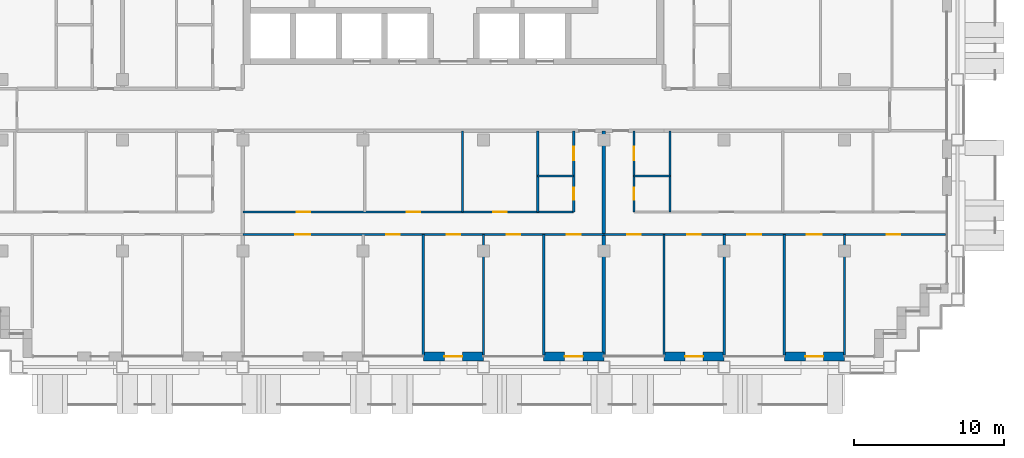
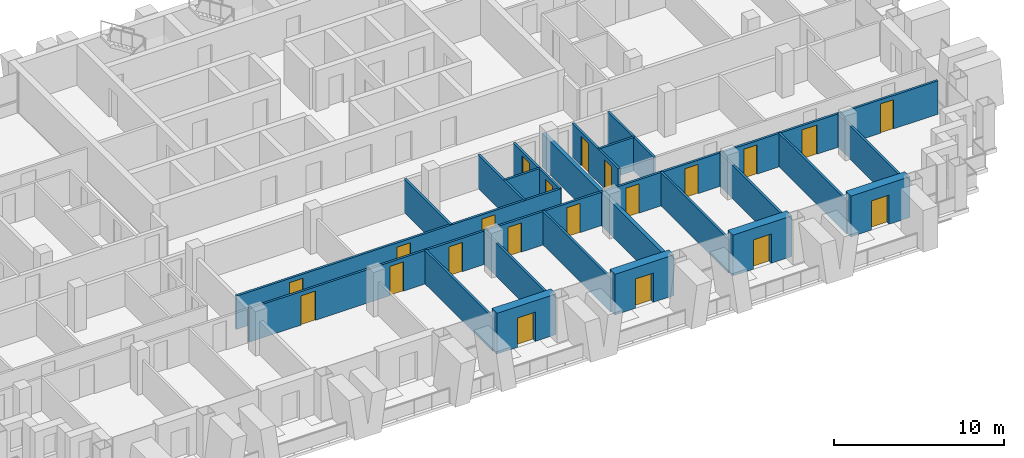
# One storey, part 9 of 17: 22 walls, 21 doors, 21 openings.
"""IFC4 building model written with IfcOpenShell, lengths in metres."""

from ifc_helpers import new_model, si_unit, direction, frame, frame_2d, origin, place, context, subcontext, project, spatial, rectangle, extrude, material, layer, layer_set, type_object, element, fill, save


model = new_model("IFC4")

# Units and contexts
model_context = context("Model", 3, precision=1e-05, world=origin(), true_north=direction((0.0, 1.0)))
body_context = subcontext(model_context, "Body", "Model", "MODEL_VIEW")
ifc_project = project(units=[si_unit("LENGTHUNIT", "METRE"), si_unit("AREAUNIT", "SQUARE_METRE"), si_unit("VOLUMEUNIT", "CUBIC_METRE"), si_unit("PLANEANGLEUNIT", "RADIAN"), si_unit("MASSUNIT", "GRAM", prefix="KILO")], contexts=[model_context])

# Site, building, storey
site_placement = place(None, origin())
site = spatial("IfcSite", under=ifc_project, at=site_placement, CompositionType="ELEMENT")
building_placement = place(site_placement, origin())
building = spatial("IfcBuilding", under=site, at=building_placement, Name="Vidyagriha Tower", CompositionType="ELEMENT")
storey_placement = place(building_placement, frame((0.0, 0.0, 139.0)))
storey = spatial("IfcBuildingStorey", under=building, at=storey_placement, Name="L36", CompositionType="ELEMENT", Elevation=139.0)

# Wall, opening, door
ifc_material_1 = material(Name="Precast concrete C40/50 with brick facing", Category="concrete")
ifc_layer_1 = layer(ifc_material_1, 0.60009765625)
ifc_layer_set_1 = layer_set([ifc_layer_1], Name="Precast concrete C40/50 with brick facing")
wall_type_1 = type_object("IfcWallType", Name="Brick-faced precast wall 600", PredefinedType="STANDARD", material=ifc_layer_set_1)
wall_1_placement = place(storey_placement, frame((-2.0, -16.39990234375, 0.0)))
wall_1 = element("IfcWall", 1, at=wall_1_placement, inside=storey, type_object=wall_type_1, Name="Brick door bay wall L36 R23.8", PredefinedType="STANDARD", context=body_context, shape_type="SweptSolid", body=[
    extrude(rectangle(XDim=4.0, YDim=0.60009765625, at=frame_2d((2.0, 0.0))), origin(), (0.0, 0.0, 1.0), 2.919921875),
])
opening_1_placement = place(wall_1_placement, frame((1.39990234375, 0.0, 0.0)))
opening_1 = element("IfcOpeningElement", 2, at=opening_1_placement, cuts=wall_1, Name="Opening D36-72", PredefinedType="OPENING", context=body_context, shape_type="SweptSolid", body=[
    extrude(rectangle(XDim=1.199951171875, YDim=2.10009765625, at=frame_2d((0.60009765625, 1.050048828125))), frame((0.0, 0.31005859375, 0.0), z_axis=(0.0, -1.0, 0.0), x_axis=(1.0, 0.0, 0.0)), (0.0, 0.0, 1.0), 0.6201171875),
])
ifc_material_2 = material(Name="Aluminium framed glazed sliding door", Category="aluminium")
door_type_1 = type_object("IfcDoorType", Name="Balcony sliding door 1200x2100", OperationType="NOTDEFINED", PredefinedType="DOOR", material=ifc_material_2)
door_1_placement = place(opening_1_placement, origin())
door_1 = element("IfcDoor", 3, at=door_1_placement, inside=storey, type_object=door_type_1, Name="Door D36-72", OperationType="SLIDING_TO_LEFT", OverallHeight=2.10009765625, OverallWidth=1.199951171875, PredefinedType="DOOR", context=body_context, shape_type="SweptSolid", body=[
    extrude(rectangle(XDim=1.199951171875, YDim=2.10009765625, at=frame_2d((0.60009765625, 1.050048828125))), frame((0.0, 0.02490234375, 0.0), z_axis=(0.0, -1.0, 0.0), x_axis=(1.0, 0.0, 0.0)), (0.0, 0.0, 1.0), 0.050048828125),
])
fill(opening_1, door_1)

wall_2_placement = place(storey_placement, frame((6.0, -16.39990234375, 0.0)))
wall_2 = element("IfcWall", 4, at=wall_2_placement, inside=storey, type_object=wall_type_1, Name="Brick door bay wall L36 R23.10", PredefinedType="STANDARD", context=body_context, shape_type="SweptSolid", body=[
    extrude(rectangle(XDim=4.0, YDim=0.60009765625, at=frame_2d((2.0, 0.0))), origin(), (0.0, 0.0, 1.0), 2.919921875),
])
opening_2_placement = place(wall_2_placement, frame((1.39990234375, 0.0, 0.0)))
opening_2 = element("IfcOpeningElement", 5, at=opening_2_placement, cuts=wall_2, Name="Opening D36-73", PredefinedType="OPENING", context=body_context, shape_type="SweptSolid", body=[
    extrude(rectangle(XDim=1.199951171875, YDim=2.10009765625, at=frame_2d((0.60009765625, 1.050048828125))), frame((0.0, 0.31005859375, 0.0), z_axis=(0.0, -1.0, 0.0), x_axis=(1.0, 0.0, 0.0)), (0.0, 0.0, 1.0), 0.6201171875),
])
door_2_placement = place(opening_2_placement, origin())
door_2 = element("IfcDoor", 6, at=door_2_placement, inside=storey, type_object=door_type_1, Name="Door D36-73", OperationType="SLIDING_TO_LEFT", OverallHeight=2.10009765625, OverallWidth=1.199951171875, PredefinedType="DOOR", context=body_context, shape_type="SweptSolid", body=[
    extrude(rectangle(XDim=1.199951171875, YDim=2.10009765625, at=frame_2d((0.60009765625, 1.050048828125))), frame((0.0, 0.02490234375, 0.0), z_axis=(0.0, -1.0, 0.0), x_axis=(1.0, 0.0, 0.0)), (0.0, 0.0, 1.0), 0.050048828125),
])
fill(opening_2, door_2)

wall_3_placement = place(storey_placement, frame((14.0, -16.39990234375, 0.0)))
wall_3 = element("IfcWall", 7, at=wall_3_placement, inside=storey, type_object=wall_type_1, Name="Brick door bay wall L36 R23.12", PredefinedType="STANDARD", context=body_context, shape_type="SweptSolid", body=[
    extrude(rectangle(XDim=4.0, YDim=0.60009765625, at=frame_2d((2.0, 0.0))), origin(), (0.0, 0.0, 1.0), 2.919921875),
])
opening_3_placement = place(wall_3_placement, frame((1.39990234375, 0.0, 0.0)))
opening_3 = element("IfcOpeningElement", 8, at=opening_3_placement, cuts=wall_3, Name="Opening D36-74", PredefinedType="OPENING", context=body_context, shape_type="SweptSolid", body=[
    extrude(rectangle(XDim=1.199951171875, YDim=2.10009765625, at=frame_2d((0.60009765625, 1.050048828125))), frame((0.0, 0.31005859375, 0.0), z_axis=(0.0, -1.0, 0.0), x_axis=(1.0, 0.0, 0.0)), (0.0, 0.0, 1.0), 0.6201171875),
])
door_3_placement = place(opening_3_placement, origin())
door_3 = element("IfcDoor", 9, at=door_3_placement, inside=storey, type_object=door_type_1, Name="Door D36-74", OperationType="SLIDING_TO_LEFT", OverallHeight=2.10009765625, OverallWidth=1.199951171875, PredefinedType="DOOR", context=body_context, shape_type="SweptSolid", body=[
    extrude(rectangle(XDim=1.199951171875, YDim=2.10009765625, at=frame_2d((0.60009765625, 1.050048828125))), frame((0.0, 0.02490234375, 0.0), z_axis=(0.0, -1.0, 0.0), x_axis=(1.0, 0.0, 0.0)), (0.0, 0.0, 1.0), 0.050048828125),
])
fill(opening_3, door_3)

wall_4_placement = place(storey_placement, frame((22.0, -16.39990234375, 0.0)))
wall_4 = element("IfcWall", 10, at=wall_4_placement, inside=storey, type_object=wall_type_1, Name="Brick door bay wall L36 R23.14", PredefinedType="STANDARD", context=body_context, shape_type="SweptSolid", body=[
    extrude(rectangle(XDim=4.0, YDim=0.60009765625, at=frame_2d((2.0, 0.0))), origin(), (0.0, 0.0, 1.0), 2.919921875),
])
opening_4_placement = place(wall_4_placement, frame((1.39990234375, 0.0, 0.0)))
opening_4 = element("IfcOpeningElement", 11, at=opening_4_placement, cuts=wall_4, Name="Opening D36-75", PredefinedType="OPENING", context=body_context, shape_type="SweptSolid", body=[
    extrude(rectangle(XDim=1.199951171875, YDim=2.10009765625, at=frame_2d((0.60009765625, 1.050048828125))), frame((0.0, 0.31005859375, 0.0), z_axis=(0.0, -1.0, 0.0), x_axis=(1.0, 0.0, 0.0)), (0.0, 0.0, 1.0), 0.6201171875),
])
door_4_placement = place(opening_4_placement, origin())
door_4 = element("IfcDoor", 12, at=door_4_placement, inside=storey, type_object=door_type_1, Name="Door D36-75", OperationType="SLIDING_TO_LEFT", OverallHeight=2.10009765625, OverallWidth=1.199951171875, PredefinedType="DOOR", context=body_context, shape_type="SweptSolid", body=[
    extrude(rectangle(XDim=1.199951171875, YDim=2.10009765625, at=frame_2d((0.60009765625, 1.050048828125))), frame((0.0, 0.02490234375, 0.0), z_axis=(0.0, -1.0, 0.0), x_axis=(1.0, 0.0, 0.0)), (0.0, 0.0, 1.0), 0.050048828125),
])
fill(opening_4, door_4)

# Walls
ifc_material_3 = material(Name="Fired clay brick masonry", Category="masonry")
ifc_layer_2 = layer(ifc_material_3, 0.25)
ifc_layer_set_2 = layer_set([ifc_layer_2], Name="Fired clay brick masonry")
wall_type_2 = type_object("IfcWallType", Name="Fired clay brick demising wall 250", PredefinedType="PARTITIONING", material=ifc_layer_set_2)
wall_5_placement = place(storey_placement, frame((10.0, -1.39990234375, 0.0), z_axis=(0.0, 0.0, 1.0), x_axis=(0.0, -1.0, 0.0)))
element("IfcWall", 13, at=wall_5_placement, inside=storey, type_object=wall_type_2, Name="Wall all-L36-w066", PredefinedType="PARTITIONING", context=body_context, shape_type="SweptSolid", body=[
    extrude(rectangle(XDim=14.91015625, YDim=0.25, at=frame_2d((7.455078125, 0.0))), origin(), (0.0, 0.0, 1.0), 2.39990234375),
])
ifc_material_4 = material(Name="Gypsum board partition")
ifc_layer_3 = layer(ifc_material_4, 0.14990234375)
ifc_layer_set_3 = layer_set([ifc_layer_3], Name="Gypsum board partition")
wall_type_3 = type_object("IfcWallType", Name="Gypsum board partition 150", PredefinedType="PARTITIONING", material=ifc_layer_set_3)
wall_6_placement = place(storey_placement, frame((8.0, -4.39990234375, 0.0), z_axis=(0.0, 0.0, 1.0), x_axis=(-1.0, 0.0, 0.0)))
element("IfcWall", 14, at=wall_6_placement, inside=storey, type_object=wall_type_3, Name="Wall all-L36-w024", PredefinedType="PARTITIONING", context=body_context, shape_type="SweptSolid", body=[
    extrude(rectangle(XDim=2.39990234375, YDim=0.14990234375, at=frame_2d((1.199951171875, 0.0))), origin(), (0.0, 0.0, 1.0), 2.39990234375),
])
for number, where, z_axis, x_axis, name in (
    (15, (5.60009765625, -6.800048828125, 0.0), (0.0, 0.0, 1.0), (0.0, 1.0, 0.0), "Wall all-L36-w025"),
    (16, (0.60009765625, -6.800048828125, 0.0), (0.0, 0.0, 1.0), (0.0, 1.0, 0.0), "Wall all-L36-w026"),
):
    element("IfcWall", number, at=place(storey_placement, frame(where, z_axis=z_axis, x_axis=x_axis)), inside=storey, type_object=wall_type_3, Name=name, PredefinedType="PARTITIONING", context=body_context, shape_type="SweptSolid", body=[
        extrude(rectangle(XDim=5.400146484375, YDim=0.14990234375, at=frame_2d((2.7001953125, 0.0))), origin(), (0.0, 0.0, 1.0), 2.39990234375),
    ])

# Wall, openings, doors
wall_7_placement = place(storey_placement, frame((-14.0, -6.800048828125, 0.0)))
wall_7 = element("IfcWall", 17, at=wall_7_placement, inside=storey, type_object=wall_type_3, Name="Wall all-L36-w028", PredefinedType="PARTITIONING", context=body_context, shape_type="SweptSolid", body=[
    extrude(rectangle(XDim=22.0, YDim=0.14990234375, at=frame_2d((11.0, 0.0))), origin(), (0.0, 0.0, 1.0), 2.39990234375),
])
opening_5_placement = place(wall_7_placement, frame((16.64990234375, 0.0, 0.0)))
opening_5 = element("IfcOpeningElement", 18, at=opening_5_placement, cuts=wall_7, Name="Opening D36-25", PredefinedType="OPENING", context=body_context, shape_type="SweptSolid", body=[
    extrude(rectangle(XDim=0.89990234375, YDim=2.10009765625, at=frame_2d((0.449951171875, 1.050048828125))), frame((0.0, 0.0849609375, 0.0), z_axis=(0.0, -1.0, 0.0), x_axis=(1.0, 0.0, 0.0)), (0.0, 0.0, 1.0), 0.169921875),
])
opening_6_placement = place(wall_7_placement, frame((10.89990234375, 0.0, 0.0)))
opening_6 = element("IfcOpeningElement", 19, at=opening_6_placement, cuts=wall_7, Name="Opening D36-26", PredefinedType="OPENING", context=body_context, shape_type="SweptSolid", body=[
    extrude(rectangle(XDim=0.89990234375, YDim=2.10009765625, at=frame_2d((0.449951171875, 1.050048828125))), frame((0.0, 0.0849609375, 0.0), z_axis=(0.0, -1.0, 0.0), x_axis=(1.0, 0.0, 0.0)), (0.0, 0.0, 1.0), 0.169921875),
])
opening_7_placement = place(wall_7_placement, frame((3.60009765625, 0.0, 0.0)))
opening_7 = element("IfcOpeningElement", 20, at=opening_7_placement, cuts=wall_7, Name="Opening D36-27", PredefinedType="OPENING", context=body_context, shape_type="SweptSolid", body=[
    extrude(rectangle(XDim=0.89990234375, YDim=2.10009765625, at=frame_2d((0.449951171875, 1.050048828125))), frame((0.0, 0.0849609375, 0.0), z_axis=(0.0, -1.0, 0.0), x_axis=(1.0, 0.0, 0.0)), (0.0, 0.0, 1.0), 0.169921875),
])
ifc_material_5 = material(Name="Timber door leaf", Category="wood")
door_type_2 = type_object("IfcDoorType", Name="Room door 900x2100", OperationType="NOTDEFINED", PredefinedType="DOOR", material=ifc_material_5)
door_5_placement = place(opening_5_placement, origin())
door_5 = element("IfcDoor", 21, at=door_5_placement, inside=storey, type_object=door_type_2, Name="Door D36-25", OperationType="SINGLE_SWING_RIGHT", OverallHeight=2.10009765625, OverallWidth=0.89990234375, PredefinedType="DOOR", context=body_context, shape_type="SweptSolid", body=[
    extrude(rectangle(XDim=0.89990234375, YDim=2.10009765625, at=frame_2d((0.449951171875, 1.050048828125))), frame((0.0, 0.02490234375, 0.0), z_axis=(0.0, -1.0, 0.0), x_axis=(1.0, 0.0, 0.0)), (0.0, 0.0, 1.0), 0.050048828125),
])
fill(opening_5, door_5)
door_6_placement = place(opening_6_placement, origin())
door_6 = element("IfcDoor", 22, at=door_6_placement, inside=storey, type_object=door_type_2, Name="Door D36-26", OperationType="SINGLE_SWING_LEFT", OverallHeight=2.10009765625, OverallWidth=0.89990234375, PredefinedType="DOOR", context=body_context, shape_type="SweptSolid", body=[
    extrude(rectangle(XDim=0.89990234375, YDim=2.10009765625, at=frame_2d((0.449951171875, 1.050048828125))), frame((0.0, 0.02490234375, 0.0), z_axis=(0.0, -1.0, 0.0), x_axis=(1.0, 0.0, 0.0)), (0.0, 0.0, 1.0), 0.050048828125),
])
fill(opening_6, door_6)
door_7_placement = place(opening_7_placement, origin())
door_7 = element("IfcDoor", 23, at=door_7_placement, inside=storey, type_object=door_type_2, Name="Door D36-27", OperationType="SINGLE_SWING_RIGHT", OverallHeight=2.10009765625, OverallWidth=0.89990234375, PredefinedType="DOOR", context=body_context, shape_type="SweptSolid", body=[
    extrude(rectangle(XDim=0.89990234375, YDim=2.10009765625, at=frame_2d((0.449951171875, 1.050048828125))), frame((0.0, 0.02490234375, 0.0), z_axis=(0.0, -1.0, 0.0), x_axis=(1.0, 0.0, 0.0)), (0.0, 0.0, 1.0), 0.050048828125),
])
fill(opening_7, door_7)

wall_8_placement = place(storey_placement, frame((10.0, -8.300048828125, 0.0), z_axis=(0.0, 0.0, 1.0), x_axis=(-1.0, 0.0, 0.0)))
wall_8 = element("IfcWall", 24, at=wall_8_placement, inside=storey, type_object=wall_type_3, Name="Wall all-L36-w032", PredefinedType="PARTITIONING", context=body_context, shape_type="SweptSolid", body=[
    extrude(rectangle(XDim=24.0, YDim=0.14990234375, at=frame_2d((12.0, 0.0))), origin(), (0.0, 0.0, 1.0), 2.39990234375),
])
opening_8_placement = place(wall_8_placement, frame((19.5, 0.0, 0.0)))
opening_8 = element("IfcOpeningElement", 25, at=opening_8_placement, cuts=wall_8, Name="Opening D36-28", PredefinedType="OPENING", context=body_context, shape_type="SweptSolid", body=[
    extrude(rectangle(XDim=1.0, YDim=2.10009765625, at=frame_2d((0.5, 1.050048828125))), frame((0.0, 0.0849609375, 0.0), z_axis=(0.0, -1.0, 0.0), x_axis=(1.0, 0.0, 0.0)), (0.0, 0.0, 1.0), 0.169921875),
])
opening_9_placement = place(wall_8_placement, frame((13.550048828125, 0.0, 0.0)))
opening_9 = element("IfcOpeningElement", 26, at=opening_9_placement, cuts=wall_8, Name="Opening D36-29", PredefinedType="OPENING", context=body_context, shape_type="SweptSolid", body=[
    extrude(rectangle(XDim=0.89990234375, YDim=2.10009765625, at=frame_2d((0.449951171875, 1.050048828125))), frame((0.0, 0.0849609375, 0.0), z_axis=(0.0, -1.0, 0.0), x_axis=(1.0, 0.0, 0.0)), (0.0, 0.0, 1.0), 0.169921875),
])
opening_10_placement = place(wall_8_placement, frame((9.550048828125, 0.0, 0.0)))
opening_10 = element("IfcOpeningElement", 27, at=opening_10_placement, cuts=wall_8, Name="Opening D36-30", PredefinedType="OPENING", context=body_context, shape_type="SweptSolid", body=[
    extrude(rectangle(XDim=0.89990234375, YDim=2.10009765625, at=frame_2d((0.449951171875, 1.050048828125))), frame((0.0, 0.0849609375, 0.0), z_axis=(0.0, -1.0, 0.0), x_axis=(1.0, 0.0, 0.0)), (0.0, 0.0, 1.0), 0.169921875),
])
opening_11_placement = place(wall_8_placement, frame((5.550048828125, 0.0, 0.0)))
opening_11 = element("IfcOpeningElement", 28, at=opening_11_placement, cuts=wall_8, Name="Opening D36-31", PredefinedType="OPENING", context=body_context, shape_type="SweptSolid", body=[
    extrude(rectangle(XDim=0.89990234375, YDim=2.10009765625, at=frame_2d((0.449951171875, 1.050048828125))), frame((0.0, 0.0849609375, 0.0), z_axis=(0.0, -1.0, 0.0), x_axis=(1.0, 0.0, 0.0)), (0.0, 0.0, 1.0), 0.169921875),
])
opening_12_placement = place(wall_8_placement, frame((1.550048828125, 0.0, 0.0)))
opening_12 = element("IfcOpeningElement", 29, at=opening_12_placement, cuts=wall_8, Name="Opening D36-32", PredefinedType="OPENING", context=body_context, shape_type="SweptSolid", body=[
    extrude(rectangle(XDim=0.89990234375, YDim=2.10009765625, at=frame_2d((0.449951171875, 1.050048828125))), frame((0.0, 0.0849609375, 0.0), z_axis=(0.0, -1.0, 0.0), x_axis=(1.0, 0.0, 0.0)), (0.0, 0.0, 1.0), 0.169921875),
])
ifc_material_6 = material(Name="Timber door leaf", Category="wood")
door_type_3 = type_object("IfcDoorType", Name="Room door 1000x2100", OperationType="NOTDEFINED", PredefinedType="DOOR", material=ifc_material_6)
door_8_placement = place(opening_8_placement, origin())
door_8 = element("IfcDoor", 30, at=door_8_placement, inside=storey, type_object=door_type_3, Name="Door D36-28", OperationType="SINGLE_SWING_RIGHT", OverallHeight=2.10009765625, OverallWidth=1.0, PredefinedType="DOOR", context=body_context, shape_type="SweptSolid", body=[
    extrude(rectangle(XDim=1.0, YDim=2.10009765625, at=frame_2d((0.5, 1.050048828125))), frame((0.0, 0.02490234375, 0.0), z_axis=(0.0, -1.0, 0.0), x_axis=(1.0, 0.0, 0.0)), (0.0, 0.0, 1.0), 0.050048828125),
])
fill(opening_8, door_8)
door_9_placement = place(opening_9_placement, origin())
door_9 = element("IfcDoor", 31, at=door_9_placement, inside=storey, type_object=door_type_2, Name="Door D36-29", OperationType="SINGLE_SWING_RIGHT", OverallHeight=2.10009765625, OverallWidth=0.89990234375, PredefinedType="DOOR", context=body_context, shape_type="SweptSolid", body=[
    extrude(rectangle(XDim=0.89990234375, YDim=2.10009765625, at=frame_2d((0.449951171875, 1.050048828125))), frame((0.0, 0.02490234375, 0.0), z_axis=(0.0, -1.0, 0.0), x_axis=(1.0, 0.0, 0.0)), (0.0, 0.0, 1.0), 0.050048828125),
])
fill(opening_9, door_9)
door_10_placement = place(opening_10_placement, origin())
door_10 = element("IfcDoor", 32, at=door_10_placement, inside=storey, type_object=door_type_2, Name="Door D36-30", OperationType="SINGLE_SWING_RIGHT", OverallHeight=2.10009765625, OverallWidth=0.89990234375, PredefinedType="DOOR", context=body_context, shape_type="SweptSolid", body=[
    extrude(rectangle(XDim=0.89990234375, YDim=2.10009765625, at=frame_2d((0.449951171875, 1.050048828125))), frame((0.0, 0.02490234375, 0.0), z_axis=(0.0, -1.0, 0.0), x_axis=(1.0, 0.0, 0.0)), (0.0, 0.0, 1.0), 0.050048828125),
])
fill(opening_10, door_10)
door_11_placement = place(opening_11_placement, origin())
door_11 = element("IfcDoor", 33, at=door_11_placement, inside=storey, type_object=door_type_2, Name="Door D36-31", OperationType="SINGLE_SWING_RIGHT", OverallHeight=2.10009765625, OverallWidth=0.89990234375, PredefinedType="DOOR", context=body_context, shape_type="SweptSolid", body=[
    extrude(rectangle(XDim=0.89990234375, YDim=2.10009765625, at=frame_2d((0.449951171875, 1.050048828125))), frame((0.0, 0.02490234375, 0.0), z_axis=(0.0, -1.0, 0.0), x_axis=(1.0, 0.0, 0.0)), (0.0, 0.0, 1.0), 0.050048828125),
])
fill(opening_11, door_11)
door_12_placement = place(opening_12_placement, origin())
door_12 = element("IfcDoor", 34, at=door_12_placement, inside=storey, type_object=door_type_2, Name="Door D36-32", OperationType="SINGLE_SWING_RIGHT", OverallHeight=2.10009765625, OverallWidth=0.89990234375, PredefinedType="DOOR", context=body_context, shape_type="SweptSolid", body=[
    extrude(rectangle(XDim=0.89990234375, YDim=2.10009765625, at=frame_2d((0.449951171875, 1.050048828125))), frame((0.0, 0.02490234375, 0.0), z_axis=(0.0, -1.0, 0.0), x_axis=(1.0, 0.0, 0.0)), (0.0, 0.0, 1.0), 0.050048828125),
])
fill(opening_12, door_12)

# Walls
wall_9_placement = place(storey_placement, frame((-2.0, -8.300048828125, 0.0), z_axis=(0.0, 0.0, 1.0), x_axis=(0.0, -1.0, 0.0)))
element("IfcWall", 35, at=wall_9_placement, inside=storey, type_object=wall_type_3, Name="Wall all-L36-w039", PredefinedType="PARTITIONING", context=body_context, shape_type="SweptSolid", body=[
    extrude(rectangle(XDim=8.02099609375, YDim=0.14990234375, at=frame_2d((4.010498046875, 0.0))), origin(), (0.0, 0.0, 1.0), 2.39990234375),
])
wall_10_placement = place(storey_placement, frame((2.0, -8.300048828125, 0.0), z_axis=(0.0, 0.0, 1.0), x_axis=(0.0, -1.0, 0.0)))
element("IfcWall", 36, at=wall_10_placement, inside=storey, type_object=wall_type_3, Name="Wall all-L36-w040", PredefinedType="PARTITIONING", context=body_context, shape_type="SweptSolid", body=[
    extrude(rectangle(XDim=8.010009765625, YDim=0.14990234375, at=frame_2d((4.0048828125, 0.0))), origin(), (0.0, 0.0, 1.0), 2.39990234375),
])
wall_11_placement = place(storey_placement, frame((6.0, -8.300048828125, 0.0), z_axis=(0.0, 0.0, 1.0), x_axis=(0.0, -1.0, 0.0)))
element("IfcWall", 37, at=wall_11_placement, inside=storey, type_object=wall_type_3, Name="Wall all-L36-w041", PredefinedType="PARTITIONING", context=body_context, shape_type="SweptSolid", body=[
    extrude(rectangle(XDim=8.02099609375, YDim=0.14990234375, at=frame_2d((4.010498046875, 0.0))), origin(), (0.0, 0.0, 1.0), 2.39990234375),
])
wall_12_placement = place(storey_placement, frame((14.39990234375, -4.39990234375, 0.0), z_axis=(0.0, 0.0, 1.0), x_axis=(-1.0, 0.0, 0.0)))
element("IfcWall", 38, at=wall_12_placement, inside=storey, type_object=wall_type_3, Name="Wall all-L36-w047", PredefinedType="PARTITIONING", context=body_context, shape_type="SweptSolid", body=[
    extrude(rectangle(XDim=2.39990234375, YDim=0.14990234375, at=frame_2d((1.199951171875, 0.0))), origin(), (0.0, 0.0, 1.0), 2.39990234375),
])
wall_13_placement = place(storey_placement, frame((14.39990234375, -1.39990234375, 0.0), z_axis=(0.0, 0.0, 1.0), x_axis=(0.0, -1.0, 0.0)))
element("IfcWall", 39, at=wall_13_placement, inside=storey, type_object=wall_type_3, Name="Wall all-L36-w048", PredefinedType="PARTITIONING", context=body_context, shape_type="SweptSolid", body=[
    extrude(rectangle(XDim=5.400146484375, YDim=0.14990234375, at=frame_2d((2.7001953125, 0.0))), origin(), (0.0, 0.0, 1.0), 2.39990234375),
])

# Wall, openings, doors
wall_14_placement = place(storey_placement, frame((32.719970703125, -8.300048828125, 0.0), z_axis=(0.0, 0.0, 1.0), x_axis=(-1.0, 0.0, 0.0)))
wall_14 = element("IfcWall", 40, at=wall_14_placement, inside=storey, type_object=wall_type_3, Name="Wall all-L36-w055", PredefinedType="PARTITIONING", context=body_context, shape_type="SweptSolid", body=[
    extrude(rectangle(XDim=22.719970703125, YDim=0.14990234375, at=frame_2d((11.35986328125, 0.0))), origin(), (0.0, 0.0, 1.0), 2.39990234375),
])
opening_13_placement = place(wall_14_placement, frame((20.27001953125, 0.0, 0.0)))
opening_13 = element("IfcOpeningElement", 41, at=opening_13_placement, cuts=wall_14, Name="Opening D36-39", PredefinedType="OPENING", context=body_context, shape_type="SweptSolid", body=[
    extrude(rectangle(XDim=0.89990234375, YDim=2.10009765625, at=frame_2d((0.449951171875, 1.050048828125))), frame((0.0, 0.0849609375, 0.0), z_axis=(0.0, -1.0, 0.0), x_axis=(1.0, 0.0, 0.0)), (0.0, 0.0, 1.0), 0.169921875),
])
opening_14_placement = place(wall_14_placement, frame((16.27001953125, 0.0, 0.0)))
opening_14 = element("IfcOpeningElement", 42, at=opening_14_placement, cuts=wall_14, Name="Opening D36-40", PredefinedType="OPENING", context=body_context, shape_type="SweptSolid", body=[
    extrude(rectangle(XDim=0.89990234375, YDim=2.10009765625, at=frame_2d((0.449951171875, 1.050048828125))), frame((0.0, 0.0849609375, 0.0), z_axis=(0.0, -1.0, 0.0), x_axis=(1.0, 0.0, 0.0)), (0.0, 0.0, 1.0), 0.169921875),
])
opening_15_placement = place(wall_14_placement, frame((12.27001953125, 0.0, 0.0)))
opening_15 = element("IfcOpeningElement", 43, at=opening_15_placement, cuts=wall_14, Name="Opening D36-41", PredefinedType="OPENING", context=body_context, shape_type="SweptSolid", body=[
    extrude(rectangle(XDim=0.89990234375, YDim=2.10009765625, at=frame_2d((0.449951171875, 1.050048828125))), frame((0.0, 0.0849609375, 0.0), z_axis=(0.0, -1.0, 0.0), x_axis=(1.0, 0.0, 0.0)), (0.0, 0.0, 1.0), 0.169921875),
])
opening_16_placement = place(wall_14_placement, frame((8.219970703125, 0.0, 0.0)))
opening_16 = element("IfcOpeningElement", 44, at=opening_16_placement, cuts=wall_14, Name="Opening D36-42", PredefinedType="OPENING", context=body_context, shape_type="SweptSolid", body=[
    extrude(rectangle(XDim=1.0, YDim=2.10009765625, at=frame_2d((0.5, 1.050048828125))), frame((0.0, 0.0849609375, 0.0), z_axis=(0.0, -1.0, 0.0), x_axis=(1.0, 0.0, 0.0)), (0.0, 0.0, 1.0), 0.169921875),
])
opening_17_placement = place(wall_14_placement, frame((3.02001953125, 0.0, 0.0)))
opening_17 = element("IfcOpeningElement", 45, at=opening_17_placement, cuts=wall_14, Name="Opening D36-43", PredefinedType="OPENING", context=body_context, shape_type="SweptSolid", body=[
    extrude(rectangle(XDim=0.89990234375, YDim=2.10009765625, at=frame_2d((0.449951171875, 1.050048828125))), frame((0.0, 0.0849609375, 0.0), z_axis=(0.0, -1.0, 0.0), x_axis=(1.0, 0.0, 0.0)), (0.0, 0.0, 1.0), 0.169921875),
])
door_13_placement = place(opening_16_placement, origin())
door_13 = element("IfcDoor", 46, at=door_13_placement, inside=storey, type_object=door_type_3, Name="Door D36-42", OperationType="SINGLE_SWING_RIGHT", OverallHeight=2.10009765625, OverallWidth=1.0, PredefinedType="DOOR", context=body_context, shape_type="SweptSolid", body=[
    extrude(rectangle(XDim=1.0, YDim=2.10009765625, at=frame_2d((0.5, 1.050048828125))), frame((0.0, 0.02490234375, 0.0), z_axis=(0.0, -1.0, 0.0), x_axis=(1.0, 0.0, 0.0)), (0.0, 0.0, 1.0), 0.050048828125),
])
fill(opening_16, door_13)
door_14_placement = place(opening_13_placement, origin())
door_14 = element("IfcDoor", 47, at=door_14_placement, inside=storey, type_object=door_type_2, Name="Door D36-39", OperationType="SINGLE_SWING_RIGHT", OverallHeight=2.10009765625, OverallWidth=0.89990234375, PredefinedType="DOOR", context=body_context, shape_type="SweptSolid", body=[
    extrude(rectangle(XDim=0.89990234375, YDim=2.10009765625, at=frame_2d((0.449951171875, 1.050048828125))), frame((0.0, 0.02490234375, 0.0), z_axis=(0.0, -1.0, 0.0), x_axis=(1.0, 0.0, 0.0)), (0.0, 0.0, 1.0), 0.050048828125),
])
fill(opening_13, door_14)
door_15_placement = place(opening_14_placement, origin())
door_15 = element("IfcDoor", 48, at=door_15_placement, inside=storey, type_object=door_type_2, Name="Door D36-40", OperationType="SINGLE_SWING_RIGHT", OverallHeight=2.10009765625, OverallWidth=0.89990234375, PredefinedType="DOOR", context=body_context, shape_type="SweptSolid", body=[
    extrude(rectangle(XDim=0.89990234375, YDim=2.10009765625, at=frame_2d((0.449951171875, 1.050048828125))), frame((0.0, 0.02490234375, 0.0), z_axis=(0.0, -1.0, 0.0), x_axis=(1.0, 0.0, 0.0)), (0.0, 0.0, 1.0), 0.050048828125),
])
fill(opening_14, door_15)
door_16_placement = place(opening_15_placement, origin())
door_16 = element("IfcDoor", 49, at=door_16_placement, inside=storey, type_object=door_type_2, Name="Door D36-41", OperationType="SINGLE_SWING_RIGHT", OverallHeight=2.10009765625, OverallWidth=0.89990234375, PredefinedType="DOOR", context=body_context, shape_type="SweptSolid", body=[
    extrude(rectangle(XDim=0.89990234375, YDim=2.10009765625, at=frame_2d((0.449951171875, 1.050048828125))), frame((0.0, 0.02490234375, 0.0), z_axis=(0.0, -1.0, 0.0), x_axis=(1.0, 0.0, 0.0)), (0.0, 0.0, 1.0), 0.050048828125),
])
fill(opening_15, door_16)
door_17_placement = place(opening_17_placement, origin())
door_17 = element("IfcDoor", 50, at=door_17_placement, inside=storey, type_object=door_type_2, Name="Door D36-43", OperationType="SINGLE_SWING_RIGHT", OverallHeight=2.10009765625, OverallWidth=0.89990234375, PredefinedType="DOOR", context=body_context, shape_type="SweptSolid", body=[
    extrude(rectangle(XDim=0.89990234375, YDim=2.10009765625, at=frame_2d((0.449951171875, 1.050048828125))), frame((0.0, 0.02490234375, 0.0), z_axis=(0.0, -1.0, 0.0), x_axis=(1.0, 0.0, 0.0)), (0.0, 0.0, 1.0), 0.050048828125),
])
fill(opening_17, door_17)

# Walls
wall_15_placement = place(storey_placement, frame((14.0, -8.300048828125, 0.0), z_axis=(0.0, 0.0, 1.0), x_axis=(0.0, -1.0, 0.0)))
element("IfcWall", 51, at=wall_15_placement, inside=storey, type_object=wall_type_3, Name="Wall all-L36-w061", PredefinedType="PARTITIONING", context=body_context, shape_type="SweptSolid", body=[
    extrude(rectangle(XDim=8.02099609375, YDim=0.14990234375, at=frame_2d((4.010498046875, 0.0))), origin(), (0.0, 0.0, 1.0), 2.39990234375),
])
wall_16_placement = place(storey_placement, frame((18.0, -8.300048828125, 0.0), z_axis=(0.0, 0.0, 1.0), x_axis=(0.0, -1.0, 0.0)))
element("IfcWall", 52, at=wall_16_placement, inside=storey, type_object=wall_type_3, Name="Wall all-L36-w062", PredefinedType="PARTITIONING", context=body_context, shape_type="SweptSolid", body=[
    extrude(rectangle(XDim=8.010009765625, YDim=0.14990234375, at=frame_2d((4.0048828125, 0.0))), origin(), (0.0, 0.0, 1.0), 2.39990234375),
])
wall_17_placement = place(storey_placement, frame((22.0, -8.300048828125, 0.0), z_axis=(0.0, 0.0, 1.0), x_axis=(0.0, -1.0, 0.0)))
element("IfcWall", 53, at=wall_17_placement, inside=storey, type_object=wall_type_3, Name="Wall all-L36-w063", PredefinedType="PARTITIONING", context=body_context, shape_type="SweptSolid", body=[
    extrude(rectangle(XDim=8.02099609375, YDim=0.14990234375, at=frame_2d((4.010498046875, 0.0))), origin(), (0.0, 0.0, 1.0), 2.39990234375),
])
wall_18_placement = place(storey_placement, frame((26.0, -8.300048828125, 0.0), z_axis=(0.0, 0.0, 1.0), x_axis=(0.0, -1.0, 0.0)))
element("IfcWall", 54, at=wall_18_placement, inside=storey, type_object=wall_type_3, Name="Wall all-L36-w064", PredefinedType="PARTITIONING", context=body_context, shape_type="SweptSolid", body=[
    extrude(rectangle(XDim=8.010009765625, YDim=0.14990234375, at=frame_2d((4.0048828125, 0.0))), origin(), (0.0, 0.0, 1.0), 2.39990234375),
])

# Wall, openings, doors
ifc_material_7 = material(Name="Moisture resistant gypsum board partition")
ifc_layer_4 = layer(ifc_material_7, 0.14990234375)
ifc_layer_set_4 = layer_set([ifc_layer_4], Name="Moisture resistant gypsum board partition")
wall_type_4 = type_object("IfcWallType", Name="Gypsum board wet-area partition 150", PredefinedType="PARTITIONING", material=ifc_layer_set_4)
wall_19_placement = place(storey_placement, frame((8.0, -6.800048828125, 0.0), z_axis=(0.0, 0.0, 1.0), x_axis=(0.0, 1.0, 0.0)))
wall_19 = element("IfcWall", 55, at=wall_19_placement, inside=storey, type_object=wall_type_4, Name="Wall all-L36-w021", PredefinedType="PARTITIONING", context=body_context, shape_type="SweptSolid", body=[
    extrude(rectangle(XDim=5.400146484375, YDim=0.14990234375, at=frame_2d((2.7001953125, 0.0))), origin(), (0.0, 0.0, 1.0), 2.39990234375),
])
opening_18_placement = place(wall_19_placement, frame((3.449951171875, 0.0, 0.0)))
opening_18 = element("IfcOpeningElement", 56, at=opening_18_placement, cuts=wall_19, Name="Opening D36-23", PredefinedType="OPENING", context=body_context, shape_type="SweptSolid", body=[
    extrude(rectangle(XDim=0.89990234375, YDim=2.10009765625, at=frame_2d((0.449951171875, 1.050048828125))), frame((0.0, 0.0849609375, 0.0), z_axis=(0.0, -1.0, 0.0), x_axis=(1.0, 0.0, 0.0)), (0.0, 0.0, 1.0), 0.169921875),
])
opening_19_placement = place(wall_19_placement, frame((0.800048828125, 0.0, 0.0)))
opening_19 = element("IfcOpeningElement", 57, at=opening_19_placement, cuts=wall_19, Name="Opening D36-24", PredefinedType="OPENING", context=body_context, shape_type="SweptSolid", body=[
    extrude(rectangle(XDim=0.800048828125, YDim=2.10009765625, at=frame_2d((0.39990234375, 1.050048828125))), frame((0.0, 0.0849609375, 0.0), z_axis=(0.0, -1.0, 0.0), x_axis=(1.0, 0.0, 0.0)), (0.0, 0.0, 1.0), 0.169921875),
])
ifc_material_8 = material(Name="Timber door leaf", Category="wood")
door_type_4 = type_object("IfcDoorType", Name="Bathroom door 800x2100", OperationType="NOTDEFINED", PredefinedType="DOOR", material=ifc_material_8)
door_18_placement = place(opening_19_placement, origin())
door_18 = element("IfcDoor", 58, at=door_18_placement, inside=storey, type_object=door_type_4, Name="Door D36-24", OperationType="SINGLE_SWING_RIGHT", OverallHeight=2.10009765625, OverallWidth=0.800048828125, PredefinedType="DOOR", context=body_context, shape_type="SweptSolid", body=[
    extrude(rectangle(XDim=0.800048828125, YDim=2.10009765625, at=frame_2d((0.39990234375, 1.050048828125))), frame((0.0, 0.02490234375, 0.0), z_axis=(0.0, -1.0, 0.0), x_axis=(1.0, 0.0, 0.0)), (0.0, 0.0, 1.0), 0.050048828125),
])
fill(opening_19, door_18)
ifc_material_9 = material(Name="Timber door leaf", Category="wood")
door_type_5 = type_object("IfcDoorType", Name="Kitchen door 900x2100", OperationType="NOTDEFINED", PredefinedType="DOOR", material=ifc_material_9)
door_19_placement = place(opening_18_placement, origin())
door_19 = element("IfcDoor", 59, at=door_19_placement, inside=storey, type_object=door_type_5, Name="Door D36-23", OperationType="SINGLE_SWING_RIGHT", OverallHeight=2.10009765625, OverallWidth=0.89990234375, PredefinedType="DOOR", context=body_context, shape_type="SweptSolid", body=[
    extrude(rectangle(XDim=0.89990234375, YDim=2.10009765625, at=frame_2d((0.449951171875, 1.050048828125))), frame((0.0, 0.02490234375, 0.0), z_axis=(0.0, -1.0, 0.0), x_axis=(1.0, 0.0, 0.0)), (0.0, 0.0, 1.0), 0.050048828125),
])
fill(opening_18, door_19)

wall_20_placement = place(storey_placement, frame((12.0, -1.39990234375, 0.0), z_axis=(0.0, 0.0, 1.0), x_axis=(0.0, -1.0, 0.0)))
wall_20 = element("IfcWall", 60, at=wall_20_placement, inside=storey, type_object=wall_type_4, Name="Wall all-L36-w044", PredefinedType="PARTITIONING", context=body_context, shape_type="SweptSolid", body=[
    extrude(rectangle(XDim=5.400146484375, YDim=0.14990234375, at=frame_2d((2.7001953125, 0.0))), origin(), (0.0, 0.0, 1.0), 2.39990234375),
])
opening_20_placement = place(wall_20_placement, frame((1.050048828125, 0.0, 0.0)))
opening_20 = element("IfcOpeningElement", 61, at=opening_20_placement, cuts=wall_20, Name="Opening D36-34", PredefinedType="OPENING", context=body_context, shape_type="SweptSolid", body=[
    extrude(rectangle(XDim=0.89990234375, YDim=2.10009765625, at=frame_2d((0.449951171875, 1.050048828125))), frame((0.0, 0.0849609375, 0.0), z_axis=(0.0, -1.0, 0.0), x_axis=(1.0, 0.0, 0.0)), (0.0, 0.0, 1.0), 0.169921875),
])
opening_21_placement = place(wall_20_placement, frame((3.800048828125, 0.0, 0.0)))
opening_21 = element("IfcOpeningElement", 62, at=opening_21_placement, cuts=wall_20, Name="Opening D36-35", PredefinedType="OPENING", context=body_context, shape_type="SweptSolid", body=[
    extrude(rectangle(XDim=0.800048828125, YDim=2.10009765625, at=frame_2d((0.39990234375, 1.050048828125))), frame((0.0, 0.0849609375, 0.0), z_axis=(0.0, -1.0, 0.0), x_axis=(1.0, 0.0, 0.0)), (0.0, 0.0, 1.0), 0.169921875),
])
door_20_placement = place(opening_21_placement, origin())
door_20 = element("IfcDoor", 63, at=door_20_placement, inside=storey, type_object=door_type_4, Name="Door D36-35", OperationType="SINGLE_SWING_LEFT", OverallHeight=2.10009765625, OverallWidth=0.800048828125, PredefinedType="DOOR", context=body_context, shape_type="SweptSolid", body=[
    extrude(rectangle(XDim=0.800048828125, YDim=2.10009765625, at=frame_2d((0.39990234375, 1.050048828125))), frame((0.0, 0.02490234375, 0.0), z_axis=(0.0, -1.0, 0.0), x_axis=(1.0, 0.0, 0.0)), (0.0, 0.0, 1.0), 0.050048828125),
])
fill(opening_21, door_20)
door_21_placement = place(opening_20_placement, origin())
door_21 = element("IfcDoor", 64, at=door_21_placement, inside=storey, type_object=door_type_5, Name="Door D36-34", OperationType="SINGLE_SWING_RIGHT", OverallHeight=2.10009765625, OverallWidth=0.89990234375, PredefinedType="DOOR", context=body_context, shape_type="SweptSolid", body=[
    extrude(rectangle(XDim=0.89990234375, YDim=2.10009765625, at=frame_2d((0.449951171875, 1.050048828125))), frame((0.0, 0.02490234375, 0.0), z_axis=(0.0, -1.0, 0.0), x_axis=(1.0, 0.0, 0.0)), (0.0, 0.0, 1.0), 0.050048828125),
])
fill(opening_20, door_21)

save(model, "model.ifc")
